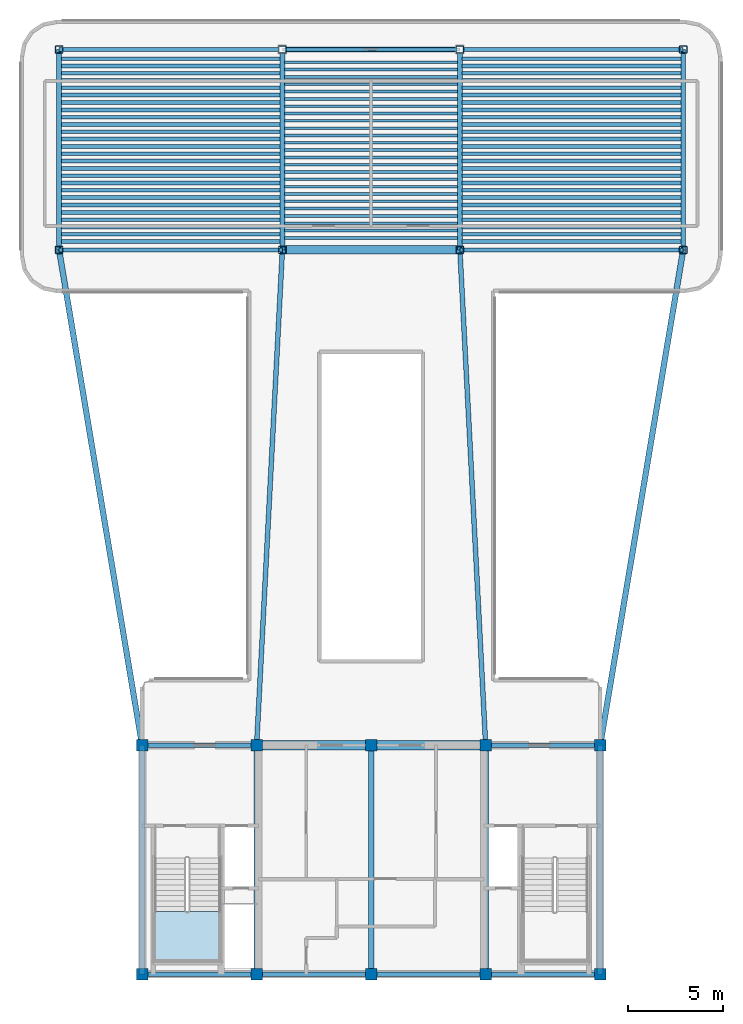
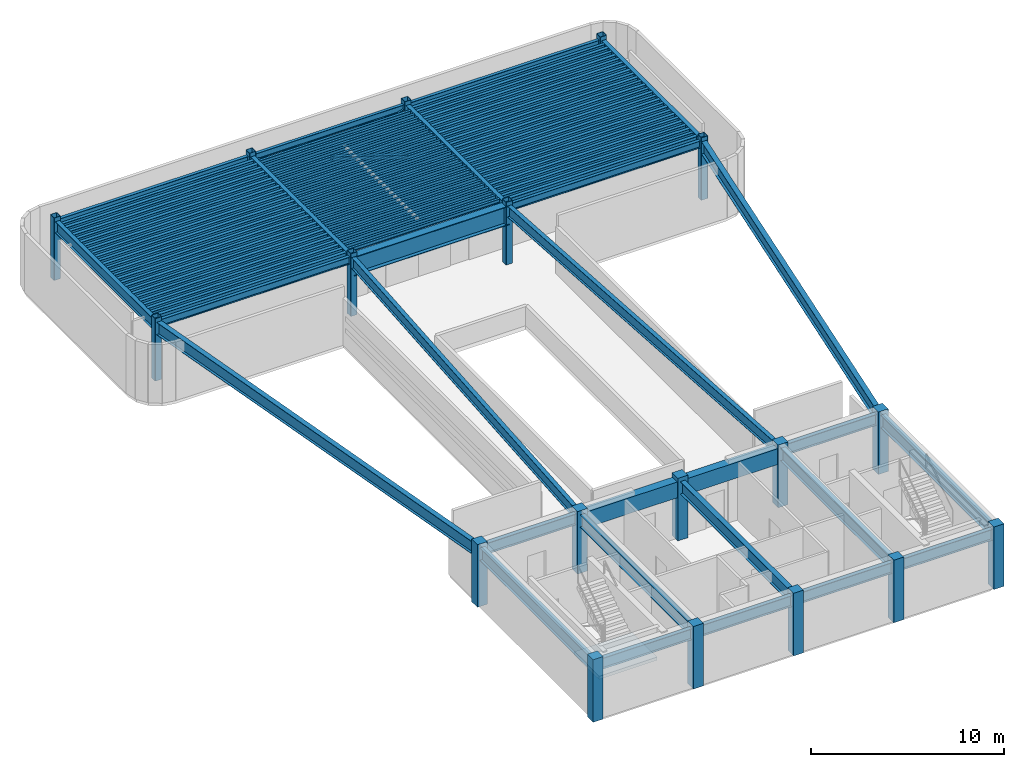
# One storey, part 1 of 6: 103 beams, 18 columns, 3 members, 1 slab, 1 element without a shape of its own.
"""IFC4 building model written with IfcOpenShell, lengths in metres."""

from ifc_helpers import new_model, si_unit, direction, frame, origin, origin_2d, place, context, subcontext, project, spatial, polyline, rectangle, hollow_rectangle, i_section, outline, extrude, source, transform, mapped, material, layer, layer_set, material_profile, profile_set, type_object, element, aggregate, save


model = new_model("IFC4")

# Units and contexts
model_context = context("Model", 3, precision=1e-05, world=origin(), true_north=direction((0.0, 1.0)))
body_context = subcontext(model_context, "Body", "Model", "MODEL_VIEW")
ifc_project = project(units=[si_unit("LENGTHUNIT", "METRE"), si_unit("AREAUNIT", "SQUARE_METRE"), si_unit("VOLUMEUNIT", "CUBIC_METRE"), si_unit("PLANEANGLEUNIT", "RADIAN"), si_unit("MASSUNIT", "GRAM", prefix="KILO")], contexts=[model_context])

# Site, building, storey
site_placement = place(None, origin())
site = spatial("IfcSite", under=ifc_project, at=site_placement, CompositionType="ELEMENT")
building_placement = place(site_placement, origin())
building = spatial("IfcBuilding", under=site, at=building_placement, Name="Brelvock Crest Care Tower", CompositionType="ELEMENT")
storey_placement = place(building_placement, frame((0.0, 0.0, 295.919921875)))
storey = spatial("IfcBuildingStorey", under=building, at=storey_placement, Name="L75", CompositionType="ELEMENT", Elevation=295.919921875)

# Columns
ifc_material_1 = material(Name="Concrete S65 (65 MPa)", Category="concrete")
ifc_material_profile_1 = material_profile(ifc_material_1, rectangle(XDim=0.60009765625, YDim=0.60009765625, at=origin_2d()), Name="RC600x600")
ifc_profile_set_1 = profile_set([ifc_material_profile_1], Name="Concrete S65 (65 MPa)")
column_type_1 = type_object("IfcColumnType", Name="COL-RC4", PredefinedType="COLUMN", material=ifc_profile_set_1)
shared_shape_1 = source(origin(), body_context, "Body", "SweptSolid", [
    extrude(rectangle(XDim=0.60009765625, YDim=0.60009765625, at=origin_2d()), origin(), (0.0, 0.0, 1.0), 3.9599609375),
])
for number, where, z_axis, x_axis, name in (
    (1, (24.0, 6.0, 0.0), (0.0, 0.0, 1.0), (1.0, 0.0, 0.0), "L75 Core Column CC-01"),
    (2, (30.0, 6.0, 0.0), (0.0, 0.0, 1.0), (1.0, 0.0, 0.0), "L75 Core Column CC-02"),
    (3, (36.0, 6.0, 0.0), (0.0, 0.0, 1.0), (1.0, 0.0, 0.0), "L75 Core Column CC-03"),
    (4, (42.0, 6.0, 0.0), (0.0, 0.0, 1.0), (1.0, 0.0, 0.0), "L75 Core Column CC-04"),
    (5, (48.0, 6.0, 0.0), (0.0, 0.0, 1.0), (1.0, 0.0, 0.0), "L75 Core Column CC-05"),
    (6, (24.0, 18.0, 0.0), (0.0, 0.0, 1.0), (1.0, 0.0, 0.0), "L75 Core Column CC-06"),
    (7, (30.0, 18.0, 0.0), (0.0, 0.0, 1.0), (1.0, 0.0, 0.0), "L75 Core Column CC-07"),
    (8, (36.0, 18.0, 0.0), (0.0, 0.0, 1.0), (1.0, 0.0, 0.0), "L75 Core Column CC-08"),
    (9, (42.0, 18.0, 0.0), (0.0, 0.0, 1.0), (1.0, 0.0, 0.0), "L75 Core Column CC-09"),
    (10, (48.0, 18.0, 0.0), (0.0, 0.0, 1.0), (1.0, 0.0, 0.0), "L75 Core Column CC-10"),
):
    element("IfcColumn", number, at=place(storey_placement, frame(where, z_axis=z_axis, x_axis=x_axis)), inside=storey, type_object=column_type_1, Name=name, PredefinedType="COLUMN", context=body_context, shape_type="MappedRepresentation", body=[
        mapped(shared_shape_1, transform((0.0, 0.0, 0.0), x_axis=(1.0, 0.0, 0.0), y_axis=(0.0, 1.0, 0.0), z_axis=(0.0, 0.0, 1.0), scale=1.0)),
    ])
ifc_material_2 = material(Name="Steel Grade 350", Category="steel")
ifc_material_profile_2 = material_profile(ifc_material_2, hollow_rectangle(XDim=0.39990234375, YDim=0.39990234375, WallThickness=0.02001953125, OuterFilletRadius=0.0400390625, at=origin_2d()), Name="SHS400x400x20.0")
ifc_profile_set_2 = profile_set([ifc_material_profile_2], Name="Steel Grade 350")
column_type_2 = type_object("IfcColumnType", Name="COL-CR1", PredefinedType="COLUMN", material=ifc_profile_set_2)
shared_shape_2 = source(origin(), body_context, "Body", "SweptSolid", [
    extrude(hollow_rectangle(XDim=0.39990234375, YDim=0.39990234375, WallThickness=0.02001953125, OuterFilletRadius=0.0400390625, at=origin_2d()), origin(), (0.0, 0.0, 1.0), 3.9599609375),
])
for number, where, z_axis, x_axis, name in (
    (11, (19.64990234375, 43.949951171875, 0.0), (0.0, 0.0, 1.0), (1.0, 0.0, 0.0), "L75 Tower Column M1"),
    (12, (19.64990234375, 54.449951171875, 0.0), (0.0, 0.0, 1.0), (1.0, 0.0, 0.0), "L75 Tower Column M2"),
    (13, (52.35009765625, 43.949951171875, 0.0), (0.0, 0.0, 1.0), (1.0, 0.0, 0.0), "L75 Tower Column M3"),
    (14, (52.35009765625, 54.449951171875, 0.0), (0.0, 0.0, 1.0), (1.0, 0.0, 0.0), "L75 Tower Column M4"),
    (15, (31.35009765625, 43.949951171875, 0.0), (0.0, 0.0, 1.0), (1.0, 0.0, 0.0), "L75 Tower Column M5"),
    (16, (40.64990234375, 43.949951171875, 0.0), (0.0, 0.0, 1.0), (1.0, 0.0, 0.0), "L75 Tower Column M6"),
    (17, (31.35009765625, 54.449951171875, 0.0), (0.0, 0.0, 1.0), (1.0, 0.0, 0.0), "L75 Tower Column M7"),
    (18, (40.64990234375, 54.449951171875, 0.0), (0.0, 0.0, 1.0), (1.0, 0.0, 0.0), "L75 Tower Column M8"),
):
    element("IfcColumn", number, at=place(storey_placement, frame(where, z_axis=z_axis, x_axis=x_axis)), inside=storey, type_object=column_type_2, Name=name, PredefinedType="COLUMN", context=body_context, shape_type="MappedRepresentation", body=[
        mapped(shared_shape_2, transform((0.0, 0.0, 0.0), x_axis=(1.0, 0.0, 0.0), y_axis=(0.0, 1.0, 0.0), z_axis=(0.0, 0.0, 1.0), scale=1.0)),
    ])

# Beams
ifc_material_profile_3 = material_profile(ifc_material_2, i_section(OverallWidth=0.25, OverallDepth=0.699951171875, WebThickness=0.011962890625, FlangeThickness=0.02001953125, at=origin_2d()), Name="700WB150")
ifc_profile_set_3 = profile_set([ifc_material_profile_3], Name="Steel Grade 350")
beam_type_1 = type_object("IfcBeamType", Name="BM-G4", PredefinedType="BEAM", material=ifc_profile_set_3)
shared_shape_3 = source(origin(), body_context, "Body", "SweptSolid", [
    extrude(i_section(OverallWidth=0.25, OverallDepth=0.699951171875, WebThickness=0.011962890625, FlangeThickness=0.02001953125, at=origin_2d()), origin(), (0.0, 0.0, 1.0), 6.0),
])
for number, where, z_axis, x_axis, name in (
    (19, (24.0, 6.0, 3.360107421875), (1.0, 0.0, 0.0), (0.0, 1.0, 0.0), "BM-CORES-L75-1"),
    (20, (24.0, 18.0, 3.360107421875), (1.0, 0.0, 0.0), (0.0, 1.0, 0.0), "BM-COREN-L75-1"),
    (21, (30.0, 6.0, 3.360107421875), (1.0, 0.0, 0.0), (0.0, 1.0, 0.0), "BM-CORES-L75-2"),
    (22, (36.0, 6.0, 3.360107421875), (1.0, 0.0, 0.0), (0.0, 1.0, 0.0), "BM-CORES-L75-3"),
    (23, (42.0, 6.0, 3.360107421875), (1.0, 0.0, 0.0), (0.0, 1.0, 0.0), "BM-CORES-L75-4"),
    (24, (42.0, 18.0, 3.360107421875), (1.0, 0.0, 0.0), (0.0, 1.0, 0.0), "BM-COREN-L75-4"),
):
    element("IfcBeam", number, at=place(storey_placement, frame(where, z_axis=z_axis, x_axis=x_axis)), inside=storey, type_object=beam_type_1, Name=name, PredefinedType="BEAM", context=body_context, shape_type="MappedRepresentation", body=[
        mapped(shared_shape_3, transform((0.0, 0.0, 0.0), x_axis=(1.0, 0.0, 0.0), y_axis=(0.0, 1.0, 0.0), z_axis=(0.0, 0.0, 1.0), scale=1.0)),
    ])
ifc_material_profile_4 = material_profile(ifc_material_2, i_section(OverallWidth=0.300048828125, OverallDepth=0.800048828125, WebThickness=0.013916015625, FlangeThickness=0.02197265625, at=origin_2d()), Name="800WB192")
ifc_profile_set_4 = profile_set([ifc_material_profile_4], Name="Steel Grade 350")
beam_type_2 = type_object("IfcBeamType", Name="BM-G5", PredefinedType="BEAM", material=ifc_profile_set_4)
shared_shape_4 = source(origin(), body_context, "Body", "SweptSolid", [
    extrude(i_section(OverallWidth=0.300048828125, OverallDepth=0.800048828125, WebThickness=0.013916015625, FlangeThickness=0.02197265625, at=origin_2d()), origin(), (0.0, 0.0, 1.0), 12.0),
])
for number, where, z_axis, x_axis, name in (
    (25, (24.0, 6.0, 3.31005859375), (0.0, 1.0, 0.0), (-1.0, 0.0, 0.0), "BM-COREX-L75-1"),
    (26, (30.0, 6.0, 3.31005859375), (0.0, 1.0, 0.0), (-1.0, 0.0, 0.0), "BM-COREX-L75-2"),
    (27, (36.0, 6.0, 3.31005859375), (0.0, 1.0, 0.0), (-1.0, 0.0, 0.0), "BM-COREX-L75-3"),
    (28, (42.0, 6.0, 3.31005859375), (0.0, 1.0, 0.0), (-1.0, 0.0, 0.0), "BM-COREX-L75-4"),
    (29, (48.0, 6.0, 3.31005859375), (0.0, 1.0, 0.0), (-1.0, 0.0, 0.0), "BM-COREX-L75-5"),
):
    element("IfcBeam", number, at=place(storey_placement, frame(where, z_axis=z_axis, x_axis=x_axis)), inside=storey, type_object=beam_type_2, Name=name, PredefinedType="BEAM", context=body_context, shape_type="MappedRepresentation", body=[
        mapped(shared_shape_4, transform((0.0, 0.0, 0.0), x_axis=(1.0, 0.0, 0.0), y_axis=(0.0, 1.0, 0.0), z_axis=(0.0, 0.0, 1.0), scale=1.0)),
    ])
shared_shape_5 = source(origin(), body_context, "Body", "SweptSolid", [
    extrude(i_section(OverallWidth=0.25, OverallDepth=0.699951171875, WebThickness=0.011962890625, FlangeThickness=0.02001953125, at=origin_2d()), origin(), (0.0, 0.0, 1.0), 10.5),
])
for number, where, z_axis, x_axis, name in (
    (30, (19.64990234375, 43.949951171875, 3.360107421875), (0.0, 1.0, 0.0), (-1.0, 0.0, 0.0), "BM-TWR-L75-01"),
    (31, (52.35009765625, 43.949951171875, 3.360107421875), (0.0, 1.0, 0.0), (-1.0, 0.0, 0.0), "BM-TWR-L75-02"),
    (32, (31.35009765625, 43.949951171875, 3.360107421875), (0.0, 1.0, 0.0), (-1.0, 0.0, 0.0), "BM-TWR-L75-09"),
    (33, (40.64990234375, 43.949951171875, 3.360107421875), (0.0, 1.0, 0.0), (-1.0, 0.0, 0.0), "BM-TWR-L75-10"),
):
    element("IfcBeam", number, at=place(storey_placement, frame(where, z_axis=z_axis, x_axis=x_axis)), inside=storey, type_object=beam_type_1, Name=name, PredefinedType="BEAM", context=body_context, shape_type="MappedRepresentation", body=[
        mapped(shared_shape_5, transform((0.0, 0.0, 0.0), x_axis=(1.0, 0.0, 0.0), y_axis=(0.0, 1.0, 0.0), z_axis=(0.0, 0.0, 1.0), scale=1.0)),
    ])
ifc_material_profile_5 = material_profile(ifc_material_2, i_section(OverallWidth=0.177978515625, OverallDepth=0.406005859375, WebThickness=0.0078125, FlangeThickness=0.0126953125, FilletRadius=0.011474609375, at=origin_2d()), Name="410UB59.7")
ifc_profile_set_5 = profile_set([ifc_material_profile_5], Name="Steel Grade 350")
beam_type_3 = type_object("IfcBeamType", Name="BM-SP1", PredefinedType="SPANDREL", material=ifc_profile_set_5)
shared_shape_6 = source(origin(), body_context, "Body", "SweptSolid", [
    extrude(i_section(OverallWidth=0.177978515625, OverallDepth=0.406005859375, WebThickness=0.0078125, FlangeThickness=0.0126953125, FilletRadius=0.011474609375, at=origin_2d()), origin(), (0.0, 0.0, 1.0), 9.2998046875),
])
beam_1_placement = place(storey_placement, frame((31.35009765625, 54.449951171875, 3.507080078125), z_axis=(1.0, 0.0, 0.0), x_axis=(0.0, 1.0, 0.0)))
element("IfcBeam", 34, at=beam_1_placement, inside=storey, type_object=beam_type_3, Name="BM-TWR-L75-08", PredefinedType="SPANDREL", context=body_context, shape_type="MappedRepresentation", body=[
    mapped(shared_shape_6, transform((0.0, 0.0, 0.0), x_axis=(1.0, 0.0, 0.0), y_axis=(0.0, 1.0, 0.0), z_axis=(0.0, 0.0, 1.0), scale=1.0)),
])
ifc_material_profile_6 = material_profile(ifc_material_2, i_section(OverallWidth=0.14599609375, OverallDepth=0.256103515625, WebThickness=0.00634765625, FlangeThickness=0.010986328125, FilletRadius=0.0087890625, at=origin_2d()), Name="250UB37.3")
ifc_profile_set_6 = profile_set([ifc_material_profile_6], Name="Steel Grade 350")
beam_type_4 = type_object("IfcBeamType", Name="BM-J3", PredefinedType="JOIST", material=ifc_profile_set_6)
shared_shape_7 = source(origin(), body_context, "Body", "SweptSolid", [
    extrude(i_section(OverallWidth=0.14599609375, OverallDepth=0.256103515625, WebThickness=0.00634765625, FlangeThickness=0.010986328125, FilletRadius=0.0087890625, at=origin_2d()), origin(), (0.0, 0.0, 1.0), 9.06982421875),
])
for number, where, z_axis, x_axis, name in (
    (35, (31.465087890625, 44.58251953125, 3.58203125), (1.0, 0.0, 0.0), (0.0, 1.0, 0.0), "BM-JH-L75-1"),
    (36, (31.465087890625, 44.9658203125, 3.58203125), (1.0, 0.0, 0.0), (0.0, 1.0, 0.0), "BM-JH-L75-2"),
    (37, (31.465087890625, 45.34912109375, 3.58203125), (1.0, 0.0, 0.0), (0.0, 1.0, 0.0), "BM-JH-L75-3"),
    (38, (31.465087890625, 45.732421875, 3.58203125), (1.0, 0.0, 0.0), (0.0, 1.0, 0.0), "BM-JH-L75-4"),
    (39, (31.465087890625, 46.115478515625, 3.58203125), (1.0, 0.0, 0.0), (0.0, 1.0, 0.0), "BM-JH-L75-5"),
    (40, (31.465087890625, 46.498779296875, 3.58203125), (1.0, 0.0, 0.0), (0.0, 1.0, 0.0), "BM-JH-L75-6"),
    (41, (31.465087890625, 46.882080078125, 3.58203125), (1.0, 0.0, 0.0), (0.0, 1.0, 0.0), "BM-JH-L75-7"),
    (42, (31.465087890625, 47.265380859375, 3.58203125), (1.0, 0.0, 0.0), (0.0, 1.0, 0.0), "BM-JH-L75-8"),
    (43, (31.465087890625, 47.648681640625, 3.58203125), (1.0, 0.0, 0.0), (0.0, 1.0, 0.0), "BM-JH-L75-9"),
    (44, (31.465087890625, 48.031982421875, 3.58203125), (1.0, 0.0, 0.0), (0.0, 1.0, 0.0), "BM-JH-L75-10"),
    (45, (31.465087890625, 48.4150390625, 3.58203125), (1.0, 0.0, 0.0), (0.0, 1.0, 0.0), "BM-JH-L75-11"),
    (46, (31.465087890625, 48.79833984375, 3.58203125), (1.0, 0.0, 0.0), (0.0, 1.0, 0.0), "BM-JH-L75-12"),
    (47, (31.465087890625, 49.181640625, 3.58203125), (1.0, 0.0, 0.0), (0.0, 1.0, 0.0), "BM-JH-L75-13"),
    (48, (31.465087890625, 49.564697265625, 3.58203125), (1.0, 0.0, 0.0), (0.0, 1.0, 0.0), "BM-JH-L75-14"),
    (49, (31.465087890625, 49.947998046875, 3.58203125), (1.0, 0.0, 0.0), (0.0, 1.0, 0.0), "BM-JH-L75-15"),
    (50, (31.465087890625, 50.331298828125, 3.58203125), (1.0, 0.0, 0.0), (0.0, 1.0, 0.0), "BM-JH-L75-16"),
    (51, (31.465087890625, 50.714599609375, 3.58203125), (1.0, 0.0, 0.0), (0.0, 1.0, 0.0), "BM-JH-L75-17"),
    (52, (31.465087890625, 51.097900390625, 3.58203125), (1.0, 0.0, 0.0), (0.0, 1.0, 0.0), "BM-JH-L75-18"),
    (53, (31.465087890625, 51.481201171875, 3.58203125), (1.0, 0.0, 0.0), (0.0, 1.0, 0.0), "BM-JH-L75-19"),
    (54, (31.465087890625, 51.864501953125, 3.58203125), (1.0, 0.0, 0.0), (0.0, 1.0, 0.0), "BM-JH-L75-20"),
    (55, (31.465087890625, 52.24755859375, 3.58203125), (1.0, 0.0, 0.0), (0.0, 1.0, 0.0), "BM-JH-L75-21"),
    (56, (31.465087890625, 52.630859375, 3.58203125), (1.0, 0.0, 0.0), (0.0, 1.0, 0.0), "BM-JH-L75-22"),
    (57, (31.465087890625, 53.01416015625, 3.58203125), (1.0, 0.0, 0.0), (0.0, 1.0, 0.0), "BM-JH-L75-23"),
    (58, (31.465087890625, 53.3974609375, 3.58203125), (1.0, 0.0, 0.0), (0.0, 1.0, 0.0), "BM-JH-L75-24"),
    (59, (31.465087890625, 53.780517578125, 3.58203125), (1.0, 0.0, 0.0), (0.0, 1.0, 0.0), "BM-JH-L75-25"),
):
    element("IfcBeam", number, at=place(storey_placement, frame(where, z_axis=z_axis, x_axis=x_axis)), inside=storey, type_object=beam_type_4, Name=name, PredefinedType="JOIST", context=body_context, shape_type="MappedRepresentation", body=[
        mapped(shared_shape_7, transform((0.0, 0.0, 0.0), x_axis=(1.0, 0.0, 0.0), y_axis=(0.0, 1.0, 0.0), z_axis=(0.0, 0.0, 1.0), scale=1.0)),
    ])
ifc_material_profile_7 = material_profile(ifc_material_1, rectangle(XDim=0.5, YDim=1.0, at=origin_2d()), Name="RC500x1000")
ifc_profile_set_7 = profile_set([ifc_material_profile_7], Name="Concrete S65 (65 MPa)")
beam_type_5 = type_object("IfcBeamType", Name="BM-LN2", PredefinedType="LINTEL", material=ifc_profile_set_7)
shared_shape_8 = source(origin(), body_context, "Body", "SweptSolid", [
    extrude(rectangle(XDim=0.5, YDim=1.0, at=origin_2d()), origin(), (0.0, 0.0, 1.0), 12.0),
])
beam_2_placement = place(storey_placement, frame((30.0, 18.0, 3.2099609375), z_axis=(1.0, 0.0, 0.0), x_axis=(0.0, 1.0, 0.0)))
element("IfcBeam", 60, at=beam_2_placement, inside=storey, type_object=beam_type_5, Name="L75 Core Coupling Lintel Beam", PredefinedType="LINTEL", context=body_context, shape_type="MappedRepresentation", body=[
    mapped(shared_shape_8, transform((0.0, 0.0, 0.0), x_axis=(1.0, 0.0, 0.0), y_axis=(0.0, 1.0, 0.0), z_axis=(0.0, 0.0, 1.0), scale=1.0)),
])
ifc_material_profile_8 = material_profile(ifc_material_2, i_section(OverallWidth=0.19091796875, OverallDepth=0.4599609375, WebThickness=0.010009765625, FlangeThickness=0.01611328125, FilletRadius=0.011474609375, at=origin_2d()), Name="460UB82.1")
ifc_profile_set_8 = profile_set([ifc_material_profile_8], Name="Steel Grade 350")
beam_type_6 = type_object("IfcBeamType", Name="BM-G3", PredefinedType="BEAM", material=ifc_profile_set_8)
shared_shape_9 = source(origin(), body_context, "Body", "SweptSolid", [
    extrude(i_section(OverallWidth=0.19091796875, OverallDepth=0.4599609375, WebThickness=0.010009765625, FlangeThickness=0.01611328125, FilletRadius=0.011474609375, at=origin_2d()), origin(), (0.0, 0.0, 1.0), 11.47021484375),
])
for number, where, z_axis, x_axis, name in (
    (61, (19.764892578125, 44.7744140625, 3.47998046875), (1.0, 0.0, 0.0), (0.0, 1.0, 0.0), "BM-JW-L75-2"),
    (62, (40.764892578125, 44.7744140625, 3.47998046875), (1.0, 0.0, 0.0), (0.0, 1.0, 0.0), "BM-JE-L75-2"),
    (63, (19.764892578125, 45.540771484375, 3.47998046875), (1.0, 0.0, 0.0), (0.0, 1.0, 0.0), "BM-JW-L75-4"),
    (64, (40.764892578125, 45.540771484375, 3.47998046875), (1.0, 0.0, 0.0), (0.0, 1.0, 0.0), "BM-JE-L75-4"),
    (65, (19.764892578125, 46.307373046875, 3.47998046875), (1.0, 0.0, 0.0), (0.0, 1.0, 0.0), "BM-JW-L75-6"),
    (66, (40.764892578125, 46.307373046875, 3.47998046875), (1.0, 0.0, 0.0), (0.0, 1.0, 0.0), "BM-JE-L75-6"),
    (67, (19.764892578125, 47.07373046875, 3.47998046875), (1.0, 0.0, 0.0), (0.0, 1.0, 0.0), "BM-JW-L75-8"),
    (68, (40.764892578125, 47.07373046875, 3.47998046875), (1.0, 0.0, 0.0), (0.0, 1.0, 0.0), "BM-JE-L75-8"),
    (69, (19.764892578125, 47.84033203125, 3.47998046875), (1.0, 0.0, 0.0), (0.0, 1.0, 0.0), "BM-JW-L75-10"),
    (70, (40.764892578125, 47.84033203125, 3.47998046875), (1.0, 0.0, 0.0), (0.0, 1.0, 0.0), "BM-JE-L75-10"),
    (71, (19.764892578125, 48.606689453125, 3.47998046875), (1.0, 0.0, 0.0), (0.0, 1.0, 0.0), "BM-JW-L75-12"),
    (72, (40.764892578125, 48.606689453125, 3.47998046875), (1.0, 0.0, 0.0), (0.0, 1.0, 0.0), "BM-JE-L75-12"),
    (73, (19.764892578125, 49.373291015625, 3.47998046875), (1.0, 0.0, 0.0), (0.0, 1.0, 0.0), "BM-JW-L75-14"),
    (74, (40.764892578125, 49.373291015625, 3.47998046875), (1.0, 0.0, 0.0), (0.0, 1.0, 0.0), "BM-JE-L75-14"),
    (75, (19.764892578125, 50.139892578125, 3.47998046875), (1.0, 0.0, 0.0), (0.0, 1.0, 0.0), "BM-JW-L75-16"),
    (76, (40.764892578125, 50.139892578125, 3.47998046875), (1.0, 0.0, 0.0), (0.0, 1.0, 0.0), "BM-JE-L75-16"),
    (77, (19.764892578125, 50.90625, 3.47998046875), (1.0, 0.0, 0.0), (0.0, 1.0, 0.0), "BM-JW-L75-18"),
    (78, (40.764892578125, 50.90625, 3.47998046875), (1.0, 0.0, 0.0), (0.0, 1.0, 0.0), "BM-JE-L75-18"),
    (79, (19.764892578125, 51.6728515625, 3.47998046875), (1.0, 0.0, 0.0), (0.0, 1.0, 0.0), "BM-JW-L75-20"),
    (80, (40.764892578125, 51.6728515625, 3.47998046875), (1.0, 0.0, 0.0), (0.0, 1.0, 0.0), "BM-JE-L75-20"),
    (81, (19.764892578125, 52.439208984375, 3.47998046875), (1.0, 0.0, 0.0), (0.0, 1.0, 0.0), "BM-JW-L75-22"),
    (82, (40.764892578125, 52.439208984375, 3.47998046875), (1.0, 0.0, 0.0), (0.0, 1.0, 0.0), "BM-JE-L75-22"),
    (83, (19.764892578125, 53.205810546875, 3.47998046875), (1.0, 0.0, 0.0), (0.0, 1.0, 0.0), "BM-JW-L75-24"),
    (84, (40.764892578125, 53.205810546875, 3.47998046875), (1.0, 0.0, 0.0), (0.0, 1.0, 0.0), "BM-JE-L75-24"),
    (85, (19.764892578125, 53.972412109375, 3.47998046875), (1.0, 0.0, 0.0), (0.0, 1.0, 0.0), "BM-JW-L75-26"),
    (86, (40.764892578125, 53.972412109375, 3.47998046875), (1.0, 0.0, 0.0), (0.0, 1.0, 0.0), "BM-JE-L75-26"),
):
    element("IfcBeam", number, at=place(storey_placement, frame(where, z_axis=z_axis, x_axis=x_axis)), inside=storey, type_object=beam_type_6, Name=name, PredefinedType="BEAM", context=body_context, shape_type="MappedRepresentation", body=[
        mapped(shared_shape_9, transform((0.0, 0.0, 0.0), x_axis=(1.0, 0.0, 0.0), y_axis=(0.0, 1.0, 0.0), z_axis=(0.0, 0.0, 1.0), scale=1.0)),
    ])
ifc_material_profile_9 = material_profile(ifc_material_2, i_section(OverallWidth=0.208984375, OverallDepth=0.532958984375, WebThickness=0.01025390625, FlangeThickness=0.015625, FilletRadius=0.013916015625, at=origin_2d()), Name="530UB92.4")
ifc_profile_set_9 = profile_set([ifc_material_profile_9], Name="Steel Grade 350")
beam_type_7 = type_object("IfcBeamType", Name="BM-G2", PredefinedType="BEAM", material=ifc_profile_set_9)
shared_shape_10 = source(origin(), body_context, "Body", "SweptSolid", [
    extrude(i_section(OverallWidth=0.208984375, OverallDepth=0.532958984375, WebThickness=0.01025390625, FlangeThickness=0.015625, FilletRadius=0.013916015625, at=origin_2d()), origin(), (0.0, 0.0, 1.0), 11.47021484375),
])
for number, where, z_axis, x_axis, name in (
    (87, (19.764892578125, 44.39111328125, 3.443603515625), (1.0, 0.0, 0.0), (0.0, 1.0, 0.0), "BM-JW-L75-1"),
    (88, (40.764892578125, 44.39111328125, 3.443603515625), (1.0, 0.0, 0.0), (0.0, 1.0, 0.0), "BM-JE-L75-1"),
    (89, (19.764892578125, 45.157470703125, 3.443603515625), (1.0, 0.0, 0.0), (0.0, 1.0, 0.0), "BM-JW-L75-3"),
    (90, (40.764892578125, 45.157470703125, 3.443603515625), (1.0, 0.0, 0.0), (0.0, 1.0, 0.0), "BM-JE-L75-3"),
    (91, (19.764892578125, 45.924072265625, 3.443603515625), (1.0, 0.0, 0.0), (0.0, 1.0, 0.0), "BM-JW-L75-5"),
    (92, (40.764892578125, 45.924072265625, 3.443603515625), (1.0, 0.0, 0.0), (0.0, 1.0, 0.0), "BM-JE-L75-5"),
    (93, (19.764892578125, 46.6904296875, 3.443603515625), (1.0, 0.0, 0.0), (0.0, 1.0, 0.0), "BM-JW-L75-7"),
    (94, (40.764892578125, 46.6904296875, 3.443603515625), (1.0, 0.0, 0.0), (0.0, 1.0, 0.0), "BM-JE-L75-7"),
    (95, (19.764892578125, 47.45703125, 3.443603515625), (1.0, 0.0, 0.0), (0.0, 1.0, 0.0), "BM-JW-L75-9"),
    (96, (40.764892578125, 47.45703125, 3.443603515625), (1.0, 0.0, 0.0), (0.0, 1.0, 0.0), "BM-JE-L75-9"),
    (97, (19.764892578125, 48.223388671875, 3.443603515625), (1.0, 0.0, 0.0), (0.0, 1.0, 0.0), "BM-JW-L75-11"),
    (98, (40.764892578125, 48.223388671875, 3.443603515625), (1.0, 0.0, 0.0), (0.0, 1.0, 0.0), "BM-JE-L75-11"),
    (99, (19.764892578125, 48.989990234375, 3.443603515625), (1.0, 0.0, 0.0), (0.0, 1.0, 0.0), "BM-JW-L75-13"),
    (100, (40.764892578125, 48.989990234375, 3.443603515625), (1.0, 0.0, 0.0), (0.0, 1.0, 0.0), "BM-JE-L75-13"),
    (101, (19.764892578125, 49.756591796875, 3.443603515625), (1.0, 0.0, 0.0), (0.0, 1.0, 0.0), "BM-JW-L75-15"),
    (102, (40.764892578125, 49.756591796875, 3.443603515625), (1.0, 0.0, 0.0), (0.0, 1.0, 0.0), "BM-JE-L75-15"),
    (103, (19.764892578125, 50.52294921875, 3.443603515625), (1.0, 0.0, 0.0), (0.0, 1.0, 0.0), "BM-JW-L75-17"),
    (104, (40.764892578125, 50.52294921875, 3.443603515625), (1.0, 0.0, 0.0), (0.0, 1.0, 0.0), "BM-JE-L75-17"),
    (105, (19.764892578125, 51.28955078125, 3.443603515625), (1.0, 0.0, 0.0), (0.0, 1.0, 0.0), "BM-JW-L75-19"),
    (106, (40.764892578125, 51.28955078125, 3.443603515625), (1.0, 0.0, 0.0), (0.0, 1.0, 0.0), "BM-JE-L75-19"),
    (107, (19.764892578125, 52.055908203125, 3.443603515625), (1.0, 0.0, 0.0), (0.0, 1.0, 0.0), "BM-JW-L75-21"),
    (108, (40.764892578125, 52.055908203125, 3.443603515625), (1.0, 0.0, 0.0), (0.0, 1.0, 0.0), "BM-JE-L75-21"),
    (109, (19.764892578125, 52.822509765625, 3.443603515625), (1.0, 0.0, 0.0), (0.0, 1.0, 0.0), "BM-JW-L75-23"),
    (110, (40.764892578125, 52.822509765625, 3.443603515625), (1.0, 0.0, 0.0), (0.0, 1.0, 0.0), "BM-JE-L75-23"),
    (111, (19.764892578125, 53.589111328125, 3.443603515625), (1.0, 0.0, 0.0), (0.0, 1.0, 0.0), "BM-JW-L75-25"),
    (112, (40.764892578125, 53.589111328125, 3.443603515625), (1.0, 0.0, 0.0), (0.0, 1.0, 0.0), "BM-JE-L75-25"),
):
    element("IfcBeam", number, at=place(storey_placement, frame(where, z_axis=z_axis, x_axis=x_axis)), inside=storey, type_object=beam_type_7, Name=name, PredefinedType="BEAM", context=body_context, shape_type="MappedRepresentation", body=[
        mapped(shared_shape_10, transform((0.0, 0.0, 0.0), x_axis=(1.0, 0.0, 0.0), y_axis=(0.0, 1.0, 0.0), z_axis=(0.0, 0.0, 1.0), scale=1.0)),
    ])
ifc_material_profile_10 = material_profile(ifc_material_2, i_section(OverallWidth=0.19091796875, OverallDepth=0.4599609375, WebThickness=0.010009765625, FlangeThickness=0.01611328125, FilletRadius=0.011474609375, at=origin_2d()), Name="460UB82.1")
ifc_profile_set_10 = profile_set([ifc_material_profile_10], Name="Steel Grade 350")
beam_type_8 = type_object("IfcBeamType", Name="BM-SP2", PredefinedType="SPANDREL", material=ifc_profile_set_10)
shared_shape_11 = source(origin(), body_context, "Body", "SweptSolid", [
    extrude(i_section(OverallWidth=0.19091796875, OverallDepth=0.4599609375, WebThickness=0.010009765625, FlangeThickness=0.01611328125, FilletRadius=0.011474609375, at=origin_2d()), origin(), (0.0, 0.0, 1.0), 11.7001953125),
])
for number, where, z_axis, x_axis, name in (
    (113, (19.64990234375, 43.949951171875, 3.47998046875), (1.0, 0.0, 0.0), (0.0, 1.0, 0.0), "BM-TWR-L75-03"),
    (114, (40.64990234375, 43.949951171875, 3.47998046875), (1.0, 0.0, 0.0), (0.0, 1.0, 0.0), "BM-TWR-L75-04"),
    (115, (19.64990234375, 54.449951171875, 3.47998046875), (1.0, 0.0, 0.0), (0.0, 1.0, 0.0), "BM-TWR-L75-06"),
    (116, (40.64990234375, 54.449951171875, 3.47998046875), (1.0, 0.0, 0.0), (0.0, 1.0, 0.0), "BM-TWR-L75-07"),
):
    element("IfcBeam", number, at=place(storey_placement, frame(where, z_axis=z_axis, x_axis=x_axis)), inside=storey, type_object=beam_type_8, Name=name, PredefinedType="SPANDREL", context=body_context, shape_type="MappedRepresentation", body=[
        mapped(shared_shape_11, transform((0.0, 0.0, 0.0), x_axis=(1.0, 0.0, 0.0), y_axis=(0.0, 1.0, 0.0), z_axis=(0.0, 0.0, 1.0), scale=1.0)),
    ])
shared_shape_12 = source(origin(), body_context, "Body", "SweptSolid", [
    extrude(i_section(OverallWidth=0.25, OverallDepth=0.699951171875, WebThickness=0.011962890625, FlangeThickness=0.02001953125, at=origin_2d()), origin(), (0.0, 0.0, 1.0), 25.985107421875),
])
for number, where, z_axis, x_axis, name in (
    (117, (30.0, 18.0, 3.360107421875), (0.051956711656, 0.998649337913, 0.0), (-0.998649337913, 0.051956711656, 0.0), "BM-THRW-L75"),
    (118, (42.0, 18.0, 3.360107421875), (-0.051956711656, 0.998649337913, 0.0), (-0.998649337913, -0.051956711656, 0.0), "BM-THRE-L75"),
):
    element("IfcBeam", number, at=place(storey_placement, frame(where, z_axis=z_axis, x_axis=x_axis)), inside=storey, type_object=beam_type_1, Name=name, PredefinedType="BEAM", context=body_context, shape_type="MappedRepresentation", body=[
        mapped(shared_shape_12, transform((0.0, 0.0, 0.0), x_axis=(1.0, 0.0, 0.0), y_axis=(0.0, 1.0, 0.0), z_axis=(0.0, 0.0, 1.0), scale=1.0)),
    ])
shared_shape_13 = source(origin(), body_context, "Body", "SweptSolid", [
    extrude(i_section(OverallWidth=0.300048828125, OverallDepth=0.800048828125, WebThickness=0.013916015625, FlangeThickness=0.02197265625, at=origin_2d()), origin(), (0.0, 0.0, 1.0), 26.31201171875),
])
for number, where, z_axis, x_axis, name in (
    (119, (24.0, 18.0, 3.31005859375), (-0.165327282709, 0.986238758918, 0.0), (-0.986238758918, -0.165327282709, 0.0), "BM-THRO-W-L75"),
    (120, (48.0, 18.0, 3.31005859375), (0.165327282709, 0.986238758918, 0.0), (-0.986238758918, 0.165327282709, 0.0), "BM-THRO-E-L75"),
):
    element("IfcBeam", number, at=place(storey_placement, frame(where, z_axis=z_axis, x_axis=x_axis)), inside=storey, type_object=beam_type_2, Name=name, PredefinedType="BEAM", context=body_context, shape_type="MappedRepresentation", body=[
        mapped(shared_shape_13, transform((0.0, 0.0, 0.0), x_axis=(1.0, 0.0, 0.0), y_axis=(0.0, 1.0, 0.0), z_axis=(0.0, 0.0, 1.0), scale=1.0)),
    ])
ifc_material_profile_11 = material_profile(ifc_material_2, i_section(OverallWidth=0.449951171875, OverallDepth=1.199951171875, WebThickness=0.02001953125, FlangeThickness=0.035888671875, at=origin_2d()), Name="1200WB423")
ifc_profile_set_11 = profile_set([ifc_material_profile_11], Name="Steel Grade 350")
beam_type_9 = type_object("IfcBeamType", Name="BM-TG3", PredefinedType="USERDEFINED", material=ifc_profile_set_11)
shared_shape_14 = source(origin(), body_context, "Body", "SweptSolid", [
    extrude(i_section(OverallWidth=0.449951171875, OverallDepth=1.199951171875, WebThickness=0.02001953125, FlangeThickness=0.035888671875, at=origin_2d()), origin(), (0.0, 0.0, 1.0), 9.2998046875),
])
beam_3_placement = place(storey_placement, frame((31.35009765625, 43.949951171875, 3.110107421875), z_axis=(1.0, 0.0, 0.0), x_axis=(0.0, 1.0, 0.0)))
element("IfcBeam", 121, at=beam_3_placement, inside=storey, type_object=beam_type_9, Name="BM-TWR-L75-05", ObjectType="GIRDER", PredefinedType="USERDEFINED", context=body_context, shape_type="MappedRepresentation", body=[
    mapped(shared_shape_14, transform((0.0, 0.0, 0.0), x_axis=(1.0, 0.0, 0.0), y_axis=(0.0, 1.0, 0.0), z_axis=(0.0, 0.0, 1.0), scale=1.0)),
])

# Members
ifc_material_profile_12 = material_profile(ifc_material_2, hollow_rectangle(XDim=0.25, YDim=0.25, WallThickness=0.012451171875, OuterFilletRadius=0.02490234375, at=origin_2d()), Name="SHS250x250x12.5")
ifc_profile_set_12 = profile_set([ifc_material_profile_12], Name="Steel Grade 350")
member_type = type_object("IfcMemberType", Name="MEM-BR5", PredefinedType="BRACE", material=ifc_profile_set_12)
shared_shape_15 = source(origin(), body_context, "Body", "SweptSolid", [
    extrude(hollow_rectangle(XDim=0.25, YDim=0.25, WallThickness=0.012451171875, OuterFilletRadius=0.02490234375, at=origin_2d()), origin(), (0.0, 0.0, 1.0), 9.77490234375),
])
member_placement = place(storey_placement, frame((31.35009765625, 54.449951171875, 0.35009765625), z_axis=(0.951407076018, 0.0, 0.307935992865), x_axis=(0.0, 1.0, 0.0)))
element("IfcMember", 122, at=member_placement, inside=storey, type_object=member_type, Name="L75 Wind Portal Frame Brace X1", PredefinedType="BRACE", context=body_context, shape_type="MappedRepresentation", body=[
    mapped(shared_shape_15, transform((0.0, 0.0, 0.0), x_axis=(1.0, 0.0, 0.0), y_axis=(0.0, 1.0, 0.0), z_axis=(0.0, 0.0, 1.0), scale=1.0)),
])
shared_shape_16 = source(origin(), body_context, "Body", "SweptSolid", [
    extrude(hollow_rectangle(XDim=0.25, YDim=0.25, WallThickness=0.012451171875, OuterFilletRadius=0.02490234375, at=origin_2d()), origin(), (0.0, 0.0, 1.0), 4.69921875),
])
for number, where, z_axis, x_axis, name in (
    (123, (40.64990234375, 54.449951171875, 0.35009765625), (-0.951410949054, 0.0, 0.307924026377), (0.0, -1.0, 0.0), "L75 Wind Portal Split Brace X2A"),
    (124, (35.821044921875, 54.449951171875, 1.9130859375), (-0.951410949054, 0.0, 0.307924026377), (0.0, -1.0, 0.0), "L75 Wind Portal Split Brace X2B"),
):
    element("IfcMember", number, at=place(storey_placement, frame(where, z_axis=z_axis, x_axis=x_axis)), inside=storey, type_object=member_type, Name=name, PredefinedType="BRACE", context=body_context, shape_type="MappedRepresentation", body=[
        mapped(shared_shape_16, transform((0.0, 0.0, 0.0), x_axis=(1.0, 0.0, 0.0), y_axis=(0.0, 1.0, 0.0), z_axis=(0.0, 0.0, 1.0), scale=1.0)),
    ])

# Stair, slab
ifc_material_3 = material(Name="Concrete N40 (40 MPa)", Category="concrete")
stair_type = type_object("IfcStairType", Name="ST-CORE1", PredefinedType="HALF_TURN_STAIR", material=ifc_material_3)
stair_placement = place(storey_placement, origin())
stair = element("IfcStair", 125, at=stair_placement, inside=storey, type_object=stair_type, Name="L75 Fire-Isolated Core Stair ST-1", PredefinedType="HALF_TURN_STAIR")
ifc_layer = layer(ifc_material_3, 0.199951171875, Name="STL-1")
ifc_layer_set = layer_set([ifc_layer], Name="Concrete N40 (40 MPa)")
slab_type = type_object("IfcSlabType", Name="STL-1", PredefinedType="LANDING", material=ifc_layer_set)
slab_placement = place(storey_placement, frame((0.0, 0.0, 1.780029296875)))
slab = element("IfcSlab", 126, at=slab_placement, type_object=slab_type, Name="ST-1 landing 1", PredefinedType="LANDING", context=body_context, shape_type="SweptSolid", body=[
    extrude(outline(polyline([(24.6298828125, 9.280029296875), (24.6298828125, 6.699951171875), (28.110107421875, 6.699951171875), (28.110107421875, 9.280029296875), (24.6298828125, 9.280029296875)])), origin(), (0.0, 0.0, 1.0), 0.199951171875),
])
aggregate(stair, [slab])

save(model, "model.ifc")
